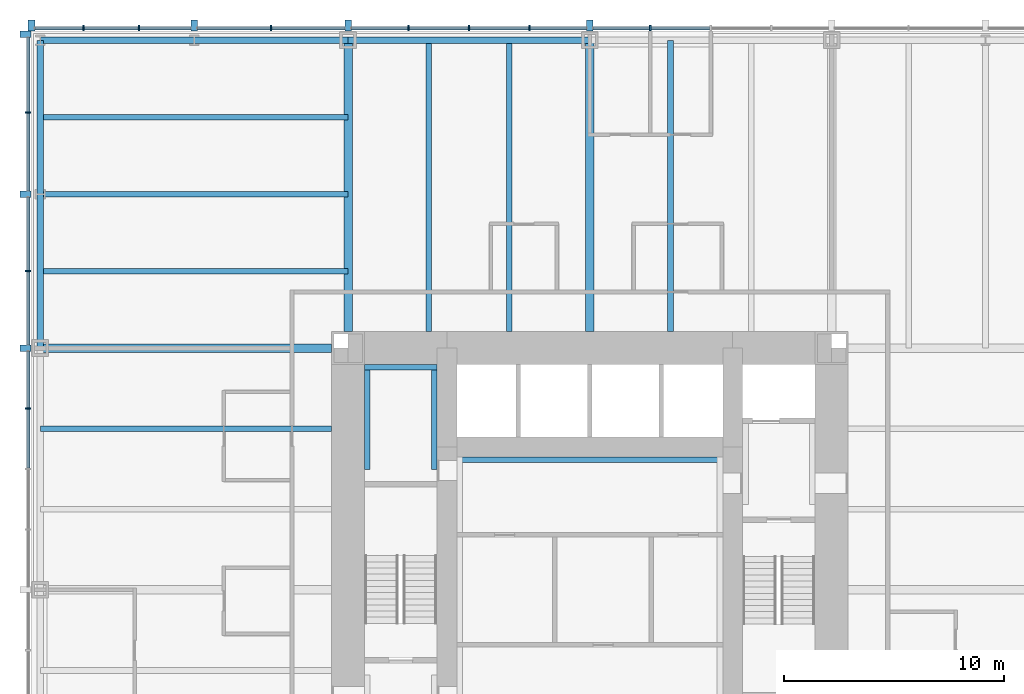
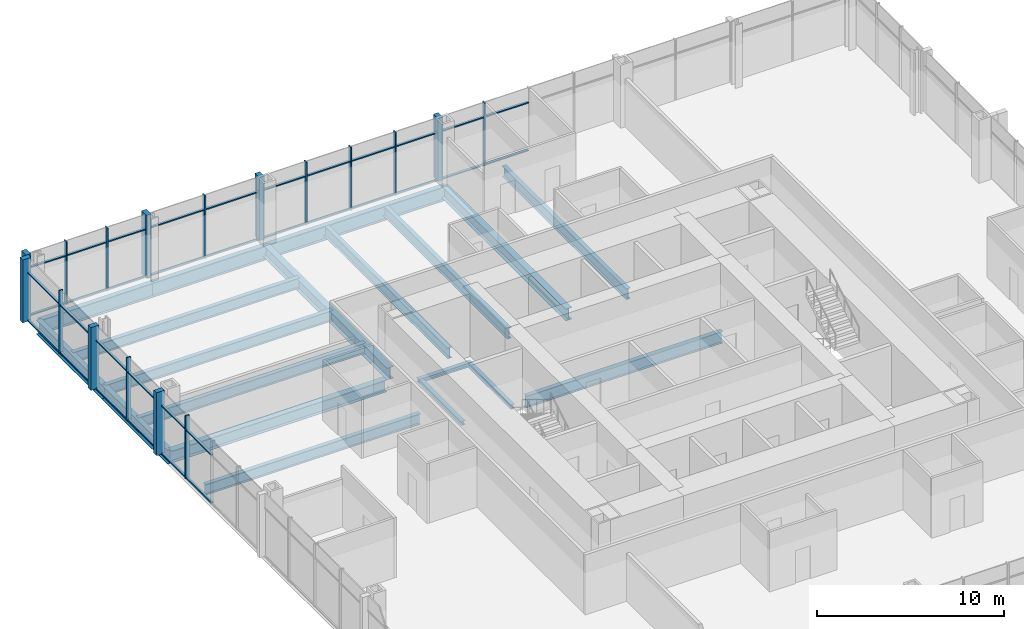
# One storey, part 5 of 12: 51 members, 19 beams, 2 elements without a shape of their own.
"""IFC4 building model written with IfcOpenShell, lengths in metres."""

from ifc_helpers import new_model, si_unit, direction, frame, origin, origin_2d, place, context, subcontext, project, spatial, rectangle, i_section, extrude, material, material_profile, profile_set, type_object, element, aggregate, save


model = new_model("IFC4")

# Units and contexts
model_context = context("Model", 3, precision=1e-05, world=origin(), true_north=direction((0.0, 1.0)))
body_context = subcontext(model_context, "Body", "Model", "MODEL_VIEW")
ifc_project = project(units=[si_unit("LENGTHUNIT", "METRE"), si_unit("AREAUNIT", "SQUARE_METRE"), si_unit("VOLUMEUNIT", "CUBIC_METRE"), si_unit("PLANEANGLEUNIT", "RADIAN"), si_unit("MASSUNIT", "GRAM", prefix="KILO")], contexts=[model_context])

# Site, building, storey
site_placement = place(None, origin())
site = spatial("IfcSite", under=ifc_project, at=site_placement, CompositionType="ELEMENT")
building_placement = place(site_placement, origin())
building = spatial("IfcBuilding", under=site, at=building_placement, Name="Trevanion Tower", CompositionType="ELEMENT")
storey_placement = place(building_placement, frame((0.0, 0.0, 24.199951171875)))
storey = spatial("IfcBuildingStorey", under=building, at=storey_placement, Name="L05", CompositionType="ELEMENT", Elevation=24.199951171875)

# Beams
ifc_material_1 = material(Name="Steel ASTM A992 Grade 50", Category="steel")
ifc_material_profile_1 = material_profile(ifc_material_1, i_section(OverallWidth=0.25390625, OverallDepth=0.700927734375, WebThickness=0.015380859375, FlangeThickness=0.02783203125, at=origin_2d()), Name="W27X129")
ifc_profile_set_1 = profile_set([ifc_material_profile_1], Name="Steel ASTM A992 Grade 50")
beam_type_1 = type_object("IfcBeamType", Name="B3 W27X129", PredefinedType="BEAM", material=ifc_profile_set_1)
for number, where, z_axis, x_axis, name in (
    (1, (3.666748046875, 11.75, -0.54052734375), (0.0, 1.0, 0.0), (-1.0, 0.0, 0.0), "B3 L05"),
    (2, (-3.666748046875, 11.75, -0.54052734375), (0.0, 1.0, 0.0), (-1.0, 0.0, 0.0), "B3 L05"),
    (3, (-7.333251953125, 11.75, -0.54052734375), (0.0, 1.0, 0.0), (-1.0, 0.0, 0.0), "B3 L05"),
    (4, (-11.75, 7.333251953125, -0.54052734375), (-1.0, 0.0, 0.0), (0.0, -1.0, 0.0), "B3 L05"),
):
    element("IfcBeam", number, at=place(storey_placement, frame(where, z_axis=z_axis, x_axis=x_axis)), inside=storey, type_object=beam_type_1, Name=name, PredefinedType="BEAM", context=body_context, shape_type="SweptSolid", body=[
        extrude(i_section(OverallWidth=0.25390625, OverallDepth=0.700927734375, WebThickness=0.015380859375, FlangeThickness=0.02783203125, at=origin_2d()), origin(), (0.0, 0.0, 1.0), 13.25),
    ])
ifc_material_2 = material(Name="Steel ASTM A992 Grade 50", Category="steel")
ifc_material_profile_2 = material_profile(ifc_material_2, i_section(OverallWidth=0.256591796875, OverallDepth=0.693359375, WebThickness=0.014404296875, FlangeThickness=0.023681640625, at=origin_2d()), Name="W27X114")
ifc_profile_set_2 = profile_set([ifc_material_profile_2], Name="Steel ASTM A992 Grade 50")
beam_type_2 = type_object("IfcBeamType", Name="B4 W27X114", PredefinedType="BEAM", material=ifc_profile_set_2)
for number, where, z_axis, x_axis, name in (
    (5, (-11.0, 14.5, -0.53662109375), (-1.0, 0.0, 0.0), (0.0, -1.0, 0.0), "B4 L05"),
    (6, (-11.0, 18.0, -0.53662109375), (-1.0, 0.0, 0.0), (0.0, -1.0, 0.0), "B4 L05"),
    (7, (-11.0, 21.5, -0.53662109375), (-1.0, 0.0, 0.0), (0.0, -1.0, 0.0), "B4 L05"),
):
    element("IfcBeam", number, at=place(storey_placement, frame(where, z_axis=z_axis, x_axis=x_axis)), inside=storey, type_object=beam_type_2, Name=name, PredefinedType="BEAM", context=body_context, shape_type="SweptSolid", body=[
        extrude(i_section(OverallWidth=0.256591796875, OverallDepth=0.693359375, WebThickness=0.014404296875, FlangeThickness=0.023681640625, at=origin_2d()), origin(), (0.0, 0.0, 1.0), 14.0),
    ])

# Curtain wall, members
ifc_material_3 = material(Name="Aluminium and glass", Category="aluminium")
curtain_wall_type = type_object("IfcCurtainWallType", Name="CW1 curtain wall", PredefinedType="USERDEFINED", material=ifc_material_3)
curtain_wall_1_placement = place(storey_placement, origin())
curtain_wall_1 = element("IfcCurtainWall", 8, at=curtain_wall_1_placement, inside=storey, type_object=curtain_wall_type, Name="CW1 L05 1", ObjectType="UNITISED CURTAIN WALL", PredefinedType="USERDEFINED")
ifc_material_4 = material(Name="Aluminium extrusion, anodised bronze", Category="aluminium")
ifc_material_profile_3 = material_profile(ifc_material_4, rectangle(XDim=0.074951171875, YDim=0.25, at=origin_2d()), Name="CW1 mullion")
ifc_profile_set_3 = profile_set([ifc_material_profile_3], Name="Aluminium extrusion, anodised bronze")
member_type_1 = type_object("IfcMemberType", Name="CW1 mullion", PredefinedType="MULLION", material=ifc_profile_set_3)
member_1_placement = place(storey_placement, frame((2.75, 25.550048828125, -0.18994140625), z_axis=(0.0, 0.0, 1.0), x_axis=(-1.0, 0.0, 0.0)))
member_1 = element("IfcMember", 9, at=member_1_placement, type_object=member_type_1, Name="CW1 mullion 8", PredefinedType="MULLION", context=body_context, shape_type="SweptSolid", body=[
    extrude(rectangle(XDim=0.074951171875, YDim=0.25, at=origin_2d()), origin(), (0.0, 0.0, 1.0), 4.10009765625),
])
member_2_placement = place(storey_placement, frame((-2.75, 25.550048828125, -0.18994140625), z_axis=(0.0, 0.0, 1.0), x_axis=(-1.0, 0.0, 0.0)))
member_2 = element("IfcMember", 10, at=member_2_placement, type_object=member_type_1, Name="CW1 mullion 10", PredefinedType="MULLION", context=body_context, shape_type="SweptSolid", body=[
    extrude(rectangle(XDim=0.074951171875, YDim=0.25, at=origin_2d()), origin(), (0.0, 0.0, 1.0), 4.10009765625),
])
member_3_placement = place(storey_placement, frame((-5.5, 25.550048828125, -0.18994140625), z_axis=(0.0, 0.0, 1.0), x_axis=(-1.0, 0.0, 0.0)))
member_3 = element("IfcMember", 11, at=member_3_placement, type_object=member_type_1, Name="CW1 mullion 11", PredefinedType="MULLION", context=body_context, shape_type="SweptSolid", body=[
    extrude(rectangle(XDim=0.074951171875, YDim=0.25, at=origin_2d()), origin(), (0.0, 0.0, 1.0), 4.10009765625),
])
member_4_placement = place(storey_placement, frame((-8.25, 25.550048828125, -0.18994140625), z_axis=(0.0, 0.0, 1.0), x_axis=(-1.0, 0.0, 0.0)))
member_4 = element("IfcMember", 12, at=member_4_placement, type_object=member_type_1, Name="CW1 mullion 12", PredefinedType="MULLION", context=body_context, shape_type="SweptSolid", body=[
    extrude(rectangle(XDim=0.074951171875, YDim=0.25, at=origin_2d()), origin(), (0.0, 0.0, 1.0), 4.10009765625),
])
member_5_placement = place(storey_placement, frame((-14.5, 25.550048828125, -0.18994140625), z_axis=(0.0, 0.0, 1.0), x_axis=(-1.0, 0.0, 0.0)))
member_5 = element("IfcMember", 13, at=member_5_placement, type_object=member_type_1, Name="CW1 mullion 14", PredefinedType="MULLION", context=body_context, shape_type="SweptSolid", body=[
    extrude(rectangle(XDim=0.074951171875, YDim=0.25, at=origin_2d()), origin(), (0.0, 0.0, 1.0), 4.10009765625),
])
member_6_placement = place(storey_placement, frame((-20.5166015625, 25.550048828125, -0.18994140625), z_axis=(0.0, 0.0, 1.0), x_axis=(-1.0, 0.0, 0.0)))
member_6 = element("IfcMember", 14, at=member_6_placement, type_object=member_type_1, Name="CW1 mullion 16", PredefinedType="MULLION", context=body_context, shape_type="SweptSolid", body=[
    extrude(rectangle(XDim=0.074951171875, YDim=0.25, at=origin_2d()), origin(), (0.0, 0.0, 1.0), 4.10009765625),
])
member_7_placement = place(storey_placement, frame((-23.033203125, 25.550048828125, -0.18994140625), z_axis=(0.0, 0.0, 1.0), x_axis=(-1.0, 0.0, 0.0)))
member_7 = element("IfcMember", 15, at=member_7_placement, type_object=member_type_1, Name="CW1 mullion 17", PredefinedType="MULLION", context=body_context, shape_type="SweptSolid", body=[
    extrude(rectangle(XDim=0.074951171875, YDim=0.25, at=origin_2d()), origin(), (0.0, 0.0, 1.0), 4.10009765625),
])

curtain_wall_2_placement = place(storey_placement, origin())
curtain_wall_2 = element("IfcCurtainWall", 16, at=curtain_wall_2_placement, inside=storey, type_object=curtain_wall_type, Name="CW1 L05 2", ObjectType="UNITISED CURTAIN WALL", PredefinedType="USERDEFINED")
member_8_placement = place(storey_placement, frame((-25.550048828125, 21.7099609375, -0.18994140625), z_axis=(0.0, 0.0, 1.0), x_axis=(0.0, -1.0, 0.0)))
member_8 = element("IfcMember", 17, at=member_8_placement, type_object=member_type_1, Name="CW1 mullion 2", PredefinedType="MULLION", context=body_context, shape_type="SweptSolid", body=[
    extrude(rectangle(XDim=0.074951171875, YDim=0.25, at=origin_2d()), origin(), (0.0, 0.0, 1.0), 4.10009765625),
])
member_9_placement = place(storey_placement, frame((-25.550048828125, 14.5, -0.18994140625), z_axis=(0.0, 0.0, 1.0), x_axis=(0.0, -1.0, 0.0)))
member_9 = element("IfcMember", 18, at=member_9_placement, type_object=member_type_1, Name="CW1 mullion 4", PredefinedType="MULLION", context=body_context, shape_type="SweptSolid", body=[
    extrude(rectangle(XDim=0.074951171875, YDim=0.25, at=origin_2d()), origin(), (0.0, 0.0, 1.0), 4.10009765625),
])
member_10_placement = place(storey_placement, frame((-25.550048828125, 8.25, -0.18994140625), z_axis=(0.0, 0.0, 1.0), x_axis=(0.0, -1.0, 0.0)))
member_10 = element("IfcMember", 19, at=member_10_placement, type_object=member_type_1, Name="CW1 mullion 6", PredefinedType="MULLION", context=body_context, shape_type="SweptSolid", body=[
    extrude(rectangle(XDim=0.074951171875, YDim=0.25, at=origin_2d()), origin(), (0.0, 0.0, 1.0), 4.10009765625),
])

# Member
ifc_material_5 = material(Name="Aluminium extrusion, anodised bronze", Category="aluminium")
ifc_material_profile_4 = material_profile(ifc_material_5, rectangle(XDim=0.300048828125, YDim=0.5, at=origin_2d()), Name="CW1 pier mullion")
ifc_profile_set_4 = profile_set([ifc_material_profile_4], Name="Aluminium extrusion, anodised bronze")
member_type_2 = type_object("IfcMemberType", Name="CW1 pier mullion", PredefinedType="MULLION", material=ifc_profile_set_4)
member_11_placement = place(storey_placement, frame((0.0, 25.675048828125, -0.18994140625), z_axis=(0.0, 0.0, 1.0), x_axis=(-1.0, 0.0, 0.0)))
member_11 = element("IfcMember", 20, at=member_11_placement, type_object=member_type_2, Name="CW1 pier mullion 9", PredefinedType="MULLION", context=body_context, shape_type="SweptSolid", body=[
    extrude(rectangle(XDim=0.300048828125, YDim=0.5, at=origin_2d()), origin(), (0.0, 0.0, 1.0), 4.10009765625),
])

member_12_placement = place(storey_placement, frame((-11.0, 25.675048828125, -0.18994140625), z_axis=(0.0, 0.0, 1.0), x_axis=(-1.0, 0.0, 0.0)))
member_12 = element("IfcMember", 21, at=member_12_placement, type_object=member_type_2, Name="CW1 pier mullion 13", PredefinedType="MULLION", context=body_context, shape_type="SweptSolid", body=[
    extrude(rectangle(XDim=0.300048828125, YDim=0.5, at=origin_2d()), origin(), (0.0, 0.0, 1.0), 4.10009765625),
])

member_13_placement = place(storey_placement, frame((-18.0, 25.675048828125, -0.18994140625), z_axis=(0.0, 0.0, 1.0), x_axis=(-1.0, 0.0, 0.0)))
member_13 = element("IfcMember", 22, at=member_13_placement, type_object=member_type_2, Name="CW1 pier mullion 15", PredefinedType="MULLION", context=body_context, shape_type="SweptSolid", body=[
    extrude(rectangle(XDim=0.300048828125, YDim=0.5, at=origin_2d()), origin(), (0.0, 0.0, 1.0), 4.10009765625),
])

member_14_placement = place(storey_placement, frame((-25.39990234375, 25.675048828125, -0.18994140625), z_axis=(0.0, 0.0, 1.0), x_axis=(-1.0, 0.0, 0.0)))
member_14 = element("IfcMember", 23, at=member_14_placement, type_object=member_type_2, Name="CW1 pier mullion 18", PredefinedType="MULLION", context=body_context, shape_type="SweptSolid", body=[
    extrude(rectangle(XDim=0.300048828125, YDim=0.5, at=origin_2d()), origin(), (0.0, 0.0, 1.0), 4.10009765625),
])

member_15_placement = place(storey_placement, frame((-25.675048828125, 25.27001953125, -0.18994140625), z_axis=(0.0, 0.0, 1.0), x_axis=(0.0, -1.0, 0.0)))
member_15 = element("IfcMember", 24, at=member_15_placement, type_object=member_type_2, Name="CW1 pier mullion 1", PredefinedType="MULLION", context=body_context, shape_type="SweptSolid", body=[
    extrude(rectangle(XDim=0.300048828125, YDim=0.5, at=origin_2d()), origin(), (0.0, 0.0, 1.0), 4.10009765625),
])

member_16_placement = place(storey_placement, frame((-25.675048828125, 18.0, -0.18994140625), z_axis=(0.0, 0.0, 1.0), x_axis=(0.0, -1.0, 0.0)))
member_16 = element("IfcMember", 25, at=member_16_placement, type_object=member_type_2, Name="CW1 pier mullion 3", PredefinedType="MULLION", context=body_context, shape_type="SweptSolid", body=[
    extrude(rectangle(XDim=0.300048828125, YDim=0.5, at=origin_2d()), origin(), (0.0, 0.0, 1.0), 4.10009765625),
])

member_17_placement = place(storey_placement, frame((-25.675048828125, 11.0, -0.18994140625), z_axis=(0.0, 0.0, 1.0), x_axis=(0.0, -1.0, 0.0)))
member_17 = element("IfcMember", 26, at=member_17_placement, type_object=member_type_2, Name="CW1 pier mullion 5", PredefinedType="MULLION", context=body_context, shape_type="SweptSolid", body=[
    extrude(rectangle(XDim=0.300048828125, YDim=0.5, at=origin_2d()), origin(), (0.0, 0.0, 1.0), 4.10009765625),
])

ifc_material_6 = material(Name="Aluminium extrusion, anodised bronze", Category="aluminium")
ifc_material_profile_5 = material_profile(ifc_material_6, rectangle(XDim=0.14990234375, YDim=0.074951171875, at=origin_2d()), Name="CW1 transom")
ifc_profile_set_5 = profile_set([ifc_material_profile_5], Name="Aluminium extrusion, anodised bronze")
member_type_3 = type_object("IfcMemberType", Name="CW1 transom", PredefinedType="USERDEFINED", material=ifc_profile_set_5)
member_18_placement = place(storey_placement, frame((5.46240234375, 25.550048828125, -0.15234375), z_axis=(-1.0, 0.0, 0.0), x_axis=(0.0, -1.0, 0.0)))
member_18 = element("IfcMember", 27, at=member_18_placement, type_object=member_type_3, Name="CW1 transom 7.1", ObjectType="TRANSOM", PredefinedType="USERDEFINED", context=body_context, shape_type="SweptSolid", body=[
    extrude(rectangle(XDim=0.14990234375, YDim=0.074951171875, at=origin_2d()), origin(), (0.0, 0.0, 1.0), 2.6748046875),
])

member_19_placement = place(storey_placement, frame((5.46240234375, 25.550048828125, 2.9599609375), z_axis=(-1.0, 0.0, 0.0), x_axis=(0.0, -1.0, 0.0)))
member_19 = element("IfcMember", 28, at=member_19_placement, type_object=member_type_3, Name="CW1 transom 7.2", ObjectType="TRANSOM", PredefinedType="USERDEFINED", context=body_context, shape_type="SweptSolid", body=[
    extrude(rectangle(XDim=0.14990234375, YDim=0.074951171875, at=origin_2d()), origin(), (0.0, 0.0, 1.0), 2.6748046875),
])

member_20_placement = place(storey_placement, frame((2.71240234375, 25.550048828125, -0.15234375), z_axis=(-1.0, 0.0, 0.0), x_axis=(0.0, -1.0, 0.0)))
member_20 = element("IfcMember", 29, at=member_20_placement, type_object=member_type_3, Name="CW1 transom 8.1", ObjectType="TRANSOM", PredefinedType="USERDEFINED", context=body_context, shape_type="SweptSolid", body=[
    extrude(rectangle(XDim=0.14990234375, YDim=0.074951171875, at=origin_2d()), origin(), (0.0, 0.0, 1.0), 2.5625),
])

member_21_placement = place(storey_placement, frame((2.71240234375, 25.550048828125, 2.9599609375), z_axis=(-1.0, 0.0, 0.0), x_axis=(0.0, -1.0, 0.0)))
member_21 = element("IfcMember", 30, at=member_21_placement, type_object=member_type_3, Name="CW1 transom 8.2", ObjectType="TRANSOM", PredefinedType="USERDEFINED", context=body_context, shape_type="SweptSolid", body=[
    extrude(rectangle(XDim=0.14990234375, YDim=0.074951171875, at=origin_2d()), origin(), (0.0, 0.0, 1.0), 2.5625),
])

member_22_placement = place(storey_placement, frame((-0.14990234375, 25.550048828125, -0.15234375), z_axis=(-1.0, 0.0, 0.0), x_axis=(0.0, -1.0, 0.0)))
member_22 = element("IfcMember", 31, at=member_22_placement, type_object=member_type_3, Name="CW1 transom 9.1", ObjectType="TRANSOM", PredefinedType="USERDEFINED", context=body_context, shape_type="SweptSolid", body=[
    extrude(rectangle(XDim=0.14990234375, YDim=0.074951171875, at=origin_2d()), origin(), (0.0, 0.0, 1.0), 2.5625),
])

member_23_placement = place(storey_placement, frame((-0.14990234375, 25.550048828125, 2.9599609375), z_axis=(-1.0, 0.0, 0.0), x_axis=(0.0, -1.0, 0.0)))
member_23 = element("IfcMember", 32, at=member_23_placement, type_object=member_type_3, Name="CW1 transom 9.2", ObjectType="TRANSOM", PredefinedType="USERDEFINED", context=body_context, shape_type="SweptSolid", body=[
    extrude(rectangle(XDim=0.14990234375, YDim=0.074951171875, at=origin_2d()), origin(), (0.0, 0.0, 1.0), 2.5625),
])

member_24_placement = place(storey_placement, frame((-2.78759765625, 25.550048828125, -0.15234375), z_axis=(-1.0, 0.0, 0.0), x_axis=(0.0, -1.0, 0.0)))
member_24 = element("IfcMember", 33, at=member_24_placement, type_object=member_type_3, Name="CW1 transom 10.1", ObjectType="TRANSOM", PredefinedType="USERDEFINED", context=body_context, shape_type="SweptSolid", body=[
    extrude(rectangle(XDim=0.14990234375, YDim=0.074951171875, at=origin_2d()), origin(), (0.0, 0.0, 1.0), 2.6748046875),
])

member_25_placement = place(storey_placement, frame((-2.78759765625, 25.550048828125, 2.9599609375), z_axis=(-1.0, 0.0, 0.0), x_axis=(0.0, -1.0, 0.0)))
member_25 = element("IfcMember", 34, at=member_25_placement, type_object=member_type_3, Name="CW1 transom 10.2", ObjectType="TRANSOM", PredefinedType="USERDEFINED", context=body_context, shape_type="SweptSolid", body=[
    extrude(rectangle(XDim=0.14990234375, YDim=0.074951171875, at=origin_2d()), origin(), (0.0, 0.0, 1.0), 2.6748046875),
])

member_26_placement = place(storey_placement, frame((-5.53759765625, 25.550048828125, -0.15234375), z_axis=(-1.0, 0.0, 0.0), x_axis=(0.0, -1.0, 0.0)))
member_26 = element("IfcMember", 35, at=member_26_placement, type_object=member_type_3, Name="CW1 transom 11.1", ObjectType="TRANSOM", PredefinedType="USERDEFINED", context=body_context, shape_type="SweptSolid", body=[
    extrude(rectangle(XDim=0.14990234375, YDim=0.074951171875, at=origin_2d()), origin(), (0.0, 0.0, 1.0), 2.6748046875),
])

member_27_placement = place(storey_placement, frame((-5.53759765625, 25.550048828125, 2.9599609375), z_axis=(-1.0, 0.0, 0.0), x_axis=(0.0, -1.0, 0.0)))
member_27 = element("IfcMember", 36, at=member_27_placement, type_object=member_type_3, Name="CW1 transom 11.2", ObjectType="TRANSOM", PredefinedType="USERDEFINED", context=body_context, shape_type="SweptSolid", body=[
    extrude(rectangle(XDim=0.14990234375, YDim=0.074951171875, at=origin_2d()), origin(), (0.0, 0.0, 1.0), 2.6748046875),
])

member_28_placement = place(storey_placement, frame((-8.28759765625, 25.550048828125, -0.15234375), z_axis=(-1.0, 0.0, 0.0), x_axis=(0.0, -1.0, 0.0)))
member_28 = element("IfcMember", 37, at=member_28_placement, type_object=member_type_3, Name="CW1 transom 12.1", ObjectType="TRANSOM", PredefinedType="USERDEFINED", context=body_context, shape_type="SweptSolid", body=[
    extrude(rectangle(XDim=0.14990234375, YDim=0.074951171875, at=origin_2d()), origin(), (0.0, 0.0, 1.0), 2.5625),
])

member_29_placement = place(storey_placement, frame((-8.28759765625, 25.550048828125, 2.9599609375), z_axis=(-1.0, 0.0, 0.0), x_axis=(0.0, -1.0, 0.0)))
member_29 = element("IfcMember", 38, at=member_29_placement, type_object=member_type_3, Name="CW1 transom 12.2", ObjectType="TRANSOM", PredefinedType="USERDEFINED", context=body_context, shape_type="SweptSolid", body=[
    extrude(rectangle(XDim=0.14990234375, YDim=0.074951171875, at=origin_2d()), origin(), (0.0, 0.0, 1.0), 2.5625),
])

member_30_placement = place(storey_placement, frame((-11.14990234375, 25.550048828125, -0.15234375), z_axis=(-1.0, 0.0, 0.0), x_axis=(0.0, -1.0, 0.0)))
member_30 = element("IfcMember", 39, at=member_30_placement, type_object=member_type_3, Name="CW1 transom 13.1", ObjectType="TRANSOM", PredefinedType="USERDEFINED", context=body_context, shape_type="SweptSolid", body=[
    extrude(rectangle(XDim=0.14990234375, YDim=0.074951171875, at=origin_2d()), origin(), (0.0, 0.0, 1.0), 3.3125),
])

member_31_placement = place(storey_placement, frame((-11.14990234375, 25.550048828125, 2.9599609375), z_axis=(-1.0, 0.0, 0.0), x_axis=(0.0, -1.0, 0.0)))
member_31 = element("IfcMember", 40, at=member_31_placement, type_object=member_type_3, Name="CW1 transom 13.2", ObjectType="TRANSOM", PredefinedType="USERDEFINED", context=body_context, shape_type="SweptSolid", body=[
    extrude(rectangle(XDim=0.14990234375, YDim=0.074951171875, at=origin_2d()), origin(), (0.0, 0.0, 1.0), 3.3125),
])

member_32_placement = place(storey_placement, frame((-14.53759765625, 25.550048828125, -0.15234375), z_axis=(-1.0, 0.0, 0.0), x_axis=(0.0, -1.0, 0.0)))
member_32 = element("IfcMember", 41, at=member_32_placement, type_object=member_type_3, Name="CW1 transom 14.1", ObjectType="TRANSOM", PredefinedType="USERDEFINED", context=body_context, shape_type="SweptSolid", body=[
    extrude(rectangle(XDim=0.14990234375, YDim=0.074951171875, at=origin_2d()), origin(), (0.0, 0.0, 1.0), 3.3125),
])

member_33_placement = place(storey_placement, frame((-14.53759765625, 25.550048828125, 2.9599609375), z_axis=(-1.0, 0.0, 0.0), x_axis=(0.0, -1.0, 0.0)))
member_33 = element("IfcMember", 42, at=member_33_placement, type_object=member_type_3, Name="CW1 transom 14.2", ObjectType="TRANSOM", PredefinedType="USERDEFINED", context=body_context, shape_type="SweptSolid", body=[
    extrude(rectangle(XDim=0.14990234375, YDim=0.074951171875, at=origin_2d()), origin(), (0.0, 0.0, 1.0), 3.3125),
])

member_34_placement = place(storey_placement, frame((-18.14990234375, 25.550048828125, -0.15234375), z_axis=(-1.0, 0.0, 0.0), x_axis=(0.0, -1.0, 0.0)))
member_34 = element("IfcMember", 43, at=member_34_placement, type_object=member_type_3, Name="CW1 transom 15.1", ObjectType="TRANSOM", PredefinedType="USERDEFINED", context=body_context, shape_type="SweptSolid", body=[
    extrude(rectangle(XDim=0.14990234375, YDim=0.074951171875, at=origin_2d()), origin(), (0.0, 0.0, 1.0), 2.329345703125),
])

member_35_placement = place(storey_placement, frame((-18.14990234375, 25.550048828125, 2.9599609375), z_axis=(-1.0, 0.0, 0.0), x_axis=(0.0, -1.0, 0.0)))
member_35 = element("IfcMember", 44, at=member_35_placement, type_object=member_type_3, Name="CW1 transom 15.2", ObjectType="TRANSOM", PredefinedType="USERDEFINED", context=body_context, shape_type="SweptSolid", body=[
    extrude(rectangle(XDim=0.14990234375, YDim=0.074951171875, at=origin_2d()), origin(), (0.0, 0.0, 1.0), 2.329345703125),
])

member_36_placement = place(storey_placement, frame((-20.55419921875, 25.550048828125, -0.15234375), z_axis=(-1.0, 0.0, 0.0), x_axis=(0.0, -1.0, 0.0)))
member_36 = element("IfcMember", 45, at=member_36_placement, type_object=member_type_3, Name="CW1 transom 16.1", ObjectType="TRANSOM", PredefinedType="USERDEFINED", context=body_context, shape_type="SweptSolid", body=[
    extrude(rectangle(XDim=0.14990234375, YDim=0.074951171875, at=origin_2d()), origin(), (0.0, 0.0, 1.0), 2.441650390625),
])

member_37_placement = place(storey_placement, frame((-20.55419921875, 25.550048828125, 2.9599609375), z_axis=(-1.0, 0.0, 0.0), x_axis=(0.0, -1.0, 0.0)))
member_37 = element("IfcMember", 46, at=member_37_placement, type_object=member_type_3, Name="CW1 transom 16.2", ObjectType="TRANSOM", PredefinedType="USERDEFINED", context=body_context, shape_type="SweptSolid", body=[
    extrude(rectangle(XDim=0.14990234375, YDim=0.074951171875, at=origin_2d()), origin(), (0.0, 0.0, 1.0), 2.441650390625),
])

member_38_placement = place(storey_placement, frame((-23.07080078125, 25.550048828125, -0.15234375), z_axis=(-1.0, 0.0, 0.0), x_axis=(0.0, -1.0, 0.0)))
member_38 = element("IfcMember", 47, at=member_38_placement, type_object=member_type_3, Name="CW1 transom 17.1", ObjectType="TRANSOM", PredefinedType="USERDEFINED", context=body_context, shape_type="SweptSolid", body=[
    extrude(rectangle(XDim=0.14990234375, YDim=0.074951171875, at=origin_2d()), origin(), (0.0, 0.0, 1.0), 2.17919921875),
])

member_39_placement = place(storey_placement, frame((-23.07080078125, 25.550048828125, 2.9599609375), z_axis=(-1.0, 0.0, 0.0), x_axis=(0.0, -1.0, 0.0)))
member_39 = element("IfcMember", 48, at=member_39_placement, type_object=member_type_3, Name="CW1 transom 17.2", ObjectType="TRANSOM", PredefinedType="USERDEFINED", context=body_context, shape_type="SweptSolid", body=[
    extrude(rectangle(XDim=0.14990234375, YDim=0.074951171875, at=origin_2d()), origin(), (0.0, 0.0, 1.0), 2.17919921875),
])

aggregate(curtain_wall_1, [member_1, member_11, member_2, member_3, member_4, member_12, member_5, member_13, member_6, member_7, member_14, member_18, member_19, member_20, member_21, member_22, member_23, member_24, member_25, member_26, member_27, member_28, member_29, member_30, member_31, member_32, member_33, member_34, member_35, member_36, member_37, member_38, member_39])

member_40_placement = place(storey_placement, frame((-25.550048828125, 25.1201171875, -0.15234375), z_axis=(0.0, -1.0, 0.0), x_axis=(1.0, 0.0, 0.0)))
member_40 = element("IfcMember", 49, at=member_40_placement, type_object=member_type_3, Name="CW1 transom 1.1", ObjectType="TRANSOM", PredefinedType="USERDEFINED", context=body_context, shape_type="SweptSolid", body=[
    extrude(rectangle(XDim=0.14990234375, YDim=0.074951171875, at=origin_2d()), origin(), (0.0, 0.0, 1.0), 3.37255859375),
])

member_41_placement = place(storey_placement, frame((-25.550048828125, 25.1201171875, 2.9599609375), z_axis=(0.0, -1.0, 0.0), x_axis=(1.0, 0.0, 0.0)))
member_41 = element("IfcMember", 50, at=member_41_placement, type_object=member_type_3, Name="CW1 transom 1.2", ObjectType="TRANSOM", PredefinedType="USERDEFINED", context=body_context, shape_type="SweptSolid", body=[
    extrude(rectangle(XDim=0.14990234375, YDim=0.074951171875, at=origin_2d()), origin(), (0.0, 0.0, 1.0), 3.37255859375),
])

member_42_placement = place(storey_placement, frame((-25.550048828125, 21.672607421875, -0.15234375), z_axis=(0.0, -1.0, 0.0), x_axis=(1.0, 0.0, 0.0)))
member_42 = element("IfcMember", 51, at=member_42_placement, type_object=member_type_3, Name="CW1 transom 2.1", ObjectType="TRANSOM", PredefinedType="USERDEFINED", context=body_context, shape_type="SweptSolid", body=[
    extrude(rectangle(XDim=0.14990234375, YDim=0.074951171875, at=origin_2d()), origin(), (0.0, 0.0, 1.0), 3.522705078125),
])

member_43_placement = place(storey_placement, frame((-25.550048828125, 21.672607421875, 2.9599609375), z_axis=(0.0, -1.0, 0.0), x_axis=(1.0, 0.0, 0.0)))
member_43 = element("IfcMember", 52, at=member_43_placement, type_object=member_type_3, Name="CW1 transom 2.2", ObjectType="TRANSOM", PredefinedType="USERDEFINED", context=body_context, shape_type="SweptSolid", body=[
    extrude(rectangle(XDim=0.14990234375, YDim=0.074951171875, at=origin_2d()), origin(), (0.0, 0.0, 1.0), 3.522705078125),
])

member_44_placement = place(storey_placement, frame((-25.550048828125, 17.85009765625, -0.15234375), z_axis=(0.0, -1.0, 0.0), x_axis=(1.0, 0.0, 0.0)))
member_44 = element("IfcMember", 53, at=member_44_placement, type_object=member_type_3, Name="CW1 transom 3.1", ObjectType="TRANSOM", PredefinedType="USERDEFINED", context=body_context, shape_type="SweptSolid", body=[
    extrude(rectangle(XDim=0.14990234375, YDim=0.074951171875, at=origin_2d()), origin(), (0.0, 0.0, 1.0), 3.3125),
])

member_45_placement = place(storey_placement, frame((-25.550048828125, 17.85009765625, 2.9599609375), z_axis=(0.0, -1.0, 0.0), x_axis=(1.0, 0.0, 0.0)))
member_45 = element("IfcMember", 54, at=member_45_placement, type_object=member_type_3, Name="CW1 transom 3.2", ObjectType="TRANSOM", PredefinedType="USERDEFINED", context=body_context, shape_type="SweptSolid", body=[
    extrude(rectangle(XDim=0.14990234375, YDim=0.074951171875, at=origin_2d()), origin(), (0.0, 0.0, 1.0), 3.3125),
])

member_46_placement = place(storey_placement, frame((-25.550048828125, 14.46240234375, -0.15234375), z_axis=(0.0, -1.0, 0.0), x_axis=(1.0, 0.0, 0.0)))
member_46 = element("IfcMember", 55, at=member_46_placement, type_object=member_type_3, Name="CW1 transom 4.1", ObjectType="TRANSOM", PredefinedType="USERDEFINED", context=body_context, shape_type="SweptSolid", body=[
    extrude(rectangle(XDim=0.14990234375, YDim=0.074951171875, at=origin_2d()), origin(), (0.0, 0.0, 1.0), 3.3125),
])

member_47_placement = place(storey_placement, frame((-25.550048828125, 14.46240234375, 2.9599609375), z_axis=(0.0, -1.0, 0.0), x_axis=(1.0, 0.0, 0.0)))
member_47 = element("IfcMember", 56, at=member_47_placement, type_object=member_type_3, Name="CW1 transom 4.2", ObjectType="TRANSOM", PredefinedType="USERDEFINED", context=body_context, shape_type="SweptSolid", body=[
    extrude(rectangle(XDim=0.14990234375, YDim=0.074951171875, at=origin_2d()), origin(), (0.0, 0.0, 1.0), 3.3125),
])

member_48_placement = place(storey_placement, frame((-25.550048828125, 10.85009765625, -0.15234375), z_axis=(0.0, -1.0, 0.0), x_axis=(1.0, 0.0, 0.0)))
member_48 = element("IfcMember", 57, at=member_48_placement, type_object=member_type_3, Name="CW1 transom 5.1", ObjectType="TRANSOM", PredefinedType="USERDEFINED", context=body_context, shape_type="SweptSolid", body=[
    extrude(rectangle(XDim=0.14990234375, YDim=0.074951171875, at=origin_2d()), origin(), (0.0, 0.0, 1.0), 2.5625),
])

member_49_placement = place(storey_placement, frame((-25.550048828125, 10.85009765625, 2.9599609375), z_axis=(0.0, -1.0, 0.0), x_axis=(1.0, 0.0, 0.0)))
member_49 = element("IfcMember", 58, at=member_49_placement, type_object=member_type_3, Name="CW1 transom 5.2", ObjectType="TRANSOM", PredefinedType="USERDEFINED", context=body_context, shape_type="SweptSolid", body=[
    extrude(rectangle(XDim=0.14990234375, YDim=0.074951171875, at=origin_2d()), origin(), (0.0, 0.0, 1.0), 2.5625),
])

member_50_placement = place(storey_placement, frame((-25.550048828125, 8.21240234375, -0.15234375), z_axis=(0.0, -1.0, 0.0), x_axis=(1.0, 0.0, 0.0)))
member_50 = element("IfcMember", 59, at=member_50_placement, type_object=member_type_3, Name="CW1 transom 6.1", ObjectType="TRANSOM", PredefinedType="USERDEFINED", context=body_context, shape_type="SweptSolid", body=[
    extrude(rectangle(XDim=0.14990234375, YDim=0.074951171875, at=origin_2d()), origin(), (0.0, 0.0, 1.0), 2.6748046875),
])

member_51_placement = place(storey_placement, frame((-25.550048828125, 8.21240234375, 2.9599609375), z_axis=(0.0, -1.0, 0.0), x_axis=(1.0, 0.0, 0.0)))
member_51 = element("IfcMember", 60, at=member_51_placement, type_object=member_type_3, Name="CW1 transom 6.2", ObjectType="TRANSOM", PredefinedType="USERDEFINED", context=body_context, shape_type="SweptSolid", body=[
    extrude(rectangle(XDim=0.14990234375, YDim=0.074951171875, at=origin_2d()), origin(), (0.0, 0.0, 1.0), 2.6748046875),
])

aggregate(curtain_wall_2, [member_15, member_8, member_16, member_9, member_17, member_10, member_40, member_41, member_42, member_43, member_44, member_45, member_46, member_47, member_48, member_49, member_50, member_51])

# Beams
ifc_material_7 = material(Name="Steel ASTM A992 Grade 50", Category="steel")
ifc_material_profile_6 = material_profile(ifc_material_7, i_section(OverallWidth=0.381103515625, OverallDepth=0.77978515625, WebThickness=0.01806640625, FlangeThickness=0.0302734375, at=origin_2d()), Name="W30X191")
ifc_profile_set_6 = profile_set([ifc_material_profile_6], Name="Steel ASTM A992 Grade 50")
beam_type_3 = type_object("IfcBeamType", Name="G2 W30X191", PredefinedType="BEAM", material=ifc_profile_set_6)
for number, where, z_axis, x_axis, name in (
    (61, (0.0, 11.75, -0.579833984375), (0.0, 1.0, 0.0), (-1.0, 0.0, 0.0), "G2 L05"),
    (62, (-11.0, 11.75, -0.579833984375), (0.0, 1.0, 0.0), (-1.0, 0.0, 0.0), "G2 L05"),
    (63, (-11.75, 11.0, -0.579833984375), (-1.0, 0.0, 0.0), (0.0, -1.0, 0.0), "G2 L05"),
):
    element("IfcBeam", number, at=place(storey_placement, frame(where, z_axis=z_axis, x_axis=x_axis)), inside=storey, type_object=beam_type_3, Name=name, PredefinedType="BEAM", context=body_context, shape_type="SweptSolid", body=[
        extrude(i_section(OverallWidth=0.381103515625, OverallDepth=0.77978515625, WebThickness=0.01806640625, FlangeThickness=0.0302734375, at=origin_2d()), origin(), (0.0, 0.0, 1.0), 13.25),
    ])
ifc_material_8 = material(Name="Steel ASTM A992 Grade 50", Category="steel")
ifc_material_profile_7 = material_profile(ifc_material_8, i_section(OverallWidth=0.256591796875, OverallDepth=0.26416015625, WebThickness=0.011962890625, FlangeThickness=0.01953125, at=origin_2d()), Name="W10X68")
ifc_profile_set_7 = profile_set([ifc_material_profile_7], Name="Steel ASTM A992 Grade 50")
beam_type_4 = type_object("IfcBeamType", Name="LB1 W10X68", PredefinedType="BEAM", material=ifc_profile_set_7)
for number, where, z_axis, x_axis, name in (
    (64, (-10.12158203125, 5.47509765625, -0.33203125), (0.0, 1.0, 0.0), (-1.0, 0.0, 0.0), "LB1 L05"),
    (65, (-7.078369140625, 5.47509765625, -0.33203125), (0.0, 1.0, 0.0), (-1.0, 0.0, 0.0), "LB1 L05"),
):
    element("IfcBeam", number, at=place(storey_placement, frame(where, z_axis=z_axis, x_axis=x_axis)), inside=storey, type_object=beam_type_4, Name=name, PredefinedType="BEAM", context=body_context, shape_type="SweptSolid", body=[
        extrude(i_section(OverallWidth=0.256591796875, OverallDepth=0.26416015625, WebThickness=0.011962890625, FlangeThickness=0.01953125, at=origin_2d()), origin(), (0.0, 0.0, 1.0), 4.77490234375),
    ])
beam_1_placement = place(storey_placement, frame((-10.25, 10.12158203125, -0.33203125), z_axis=(1.0, 0.0, 0.0), x_axis=(0.0, 1.0, 0.0)))
element("IfcBeam", 66, at=beam_1_placement, inside=storey, type_object=beam_type_4, Name="LB1 L05", PredefinedType="BEAM", context=body_context, shape_type="SweptSolid", body=[
    extrude(i_section(OverallWidth=0.256591796875, OverallDepth=0.26416015625, WebThickness=0.011962890625, FlangeThickness=0.01953125, at=origin_2d()), origin(), (0.0, 0.0, 1.0), 3.300048828125),
])
ifc_material_9 = material(Name="Steel ASTM A992 Grade 50", Category="steel")
ifc_material_profile_8 = material_profile(ifc_material_9, i_section(OverallWidth=0.2666015625, OverallDepth=0.76953125, WebThickness=0.015625, FlangeThickness=0.025390625, at=origin_2d()), Name="W30X132")
ifc_profile_set_8 = profile_set([ifc_material_profile_8], Name="Steel ASTM A992 Grade 50")
beam_type_5 = type_object("IfcBeamType", Name="LB3 W30X132", PredefinedType="BEAM", material=ifc_profile_set_8)
beam_2_placement = place(storey_placement, frame((-6.050048828125, 5.91650390625, -0.584716796875), z_axis=(1.0, 0.0, 0.0), x_axis=(0.0, 1.0, 0.0)))
element("IfcBeam", 67, at=beam_2_placement, inside=storey, type_object=beam_type_5, Name="LB3 L05", PredefinedType="BEAM", context=body_context, shape_type="SweptSolid", body=[
    extrude(i_section(OverallWidth=0.2666015625, OverallDepth=0.76953125, WebThickness=0.015625, FlangeThickness=0.025390625, at=origin_2d()), origin(), (0.0, 0.0, 1.0), 12.10009765625),
])
ifc_material_10 = material(Name="Steel ASTM A992 Grade 50", Category="steel")
ifc_material_profile_9 = material_profile(ifc_material_10, i_section(OverallWidth=0.307373046875, OverallDepth=0.927001953125, WebThickness=0.01953125, FlangeThickness=0.031982421875, at=origin_2d()), Name="W36X194")
ifc_profile_set_9 = profile_set([ifc_material_profile_9], Name="Steel ASTM A992 Grade 50")
beam_type_6 = type_object("IfcBeamType", Name="SB2 W36X194", PredefinedType="SPANDREL", material=ifc_profile_set_9)
beam_3_placement = place(storey_placement, frame((0.0, 25.0, -0.653564453125), z_axis=(-1.0, 0.0, 0.0), x_axis=(0.0, -1.0, 0.0)))
element("IfcBeam", 68, at=beam_3_placement, inside=storey, type_object=beam_type_6, Name="SB2 L05", PredefinedType="SPANDREL", context=body_context, shape_type="SweptSolid", body=[
    extrude(i_section(OverallWidth=0.307373046875, OverallDepth=0.927001953125, WebThickness=0.01953125, FlangeThickness=0.031982421875, at=origin_2d()), origin(), (0.0, 0.0, 1.0), 11.0),
])
for number, where, z_axis, x_axis, name in (
    (69, (-11.0, 25.0, -0.653564453125), (-1.0, 0.0, 0.0), (0.0, -1.0, 0.0), "SB2 L05"),
    (70, (-18.0, 25.0, -0.653564453125), (-1.0, 0.0, 0.0), (0.0, -1.0, 0.0), "SB2 L05"),
    (71, (-25.0, 25.0, -0.653564453125), (0.0, -1.0, 0.0), (1.0, 0.0, 0.0), "SB2 L05"),
    (72, (-25.0, 18.0, -0.653564453125), (0.0, -1.0, 0.0), (1.0, 0.0, 0.0), "SB2 L05"),
):
    element("IfcBeam", number, at=place(storey_placement, frame(where, z_axis=z_axis, x_axis=x_axis)), inside=storey, type_object=beam_type_6, Name=name, PredefinedType="SPANDREL", context=body_context, shape_type="SweptSolid", body=[
        extrude(i_section(OverallWidth=0.307373046875, OverallDepth=0.927001953125, WebThickness=0.01953125, FlangeThickness=0.031982421875, at=origin_2d()), origin(), (0.0, 0.0, 1.0), 7.0),
    ])

save(model, "model.ifc")
